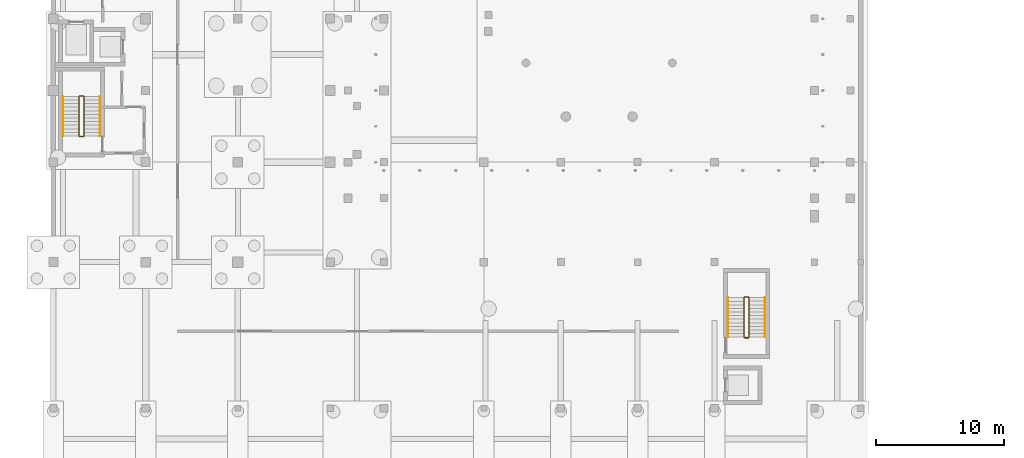
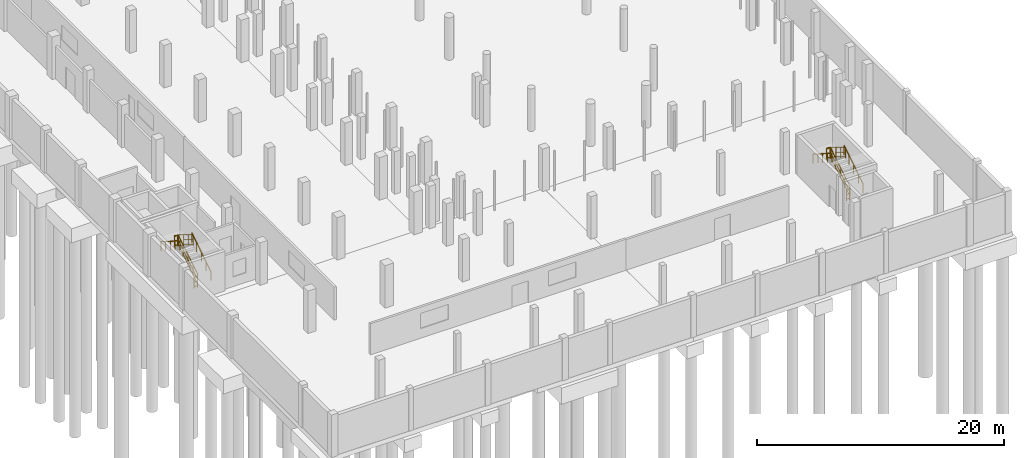
# One storey, part 31 of 34: 12 railings.
"""IFC4 building model written with IfcOpenShell, lengths in metres."""

from ifc_helpers import new_model, si_unit, direction, frame, origin, origin_2d, place, context, subcontext, project, spatial, circle, extrude, material, type_object, element, save


model = new_model("IFC4")

# Units and contexts
model_context = context("Model", 3, precision=1e-05, world=origin(), true_north=direction((0.0, 1.0)))
body_context = subcontext(model_context, "Body", "Model", "MODEL_VIEW")
ifc_project = project(units=[si_unit("LENGTHUNIT", "METRE"), si_unit("AREAUNIT", "SQUARE_METRE"), si_unit("VOLUMEUNIT", "CUBIC_METRE"), si_unit("PLANEANGLEUNIT", "RADIAN"), si_unit("MASSUNIT", "GRAM", prefix="KILO")], contexts=[model_context])

# Site, building, storey
site_placement = place(None, origin())
site = spatial("IfcSite", under=ifc_project, at=site_placement, CompositionType="ELEMENT")
building_placement = place(site_placement, origin())
building = spatial("IfcBuilding", under=site, at=building_placement, Name="Vinh Khe Railworks Police Headquarters", CompositionType="ELEMENT")
storey_placement = place(building_placement, frame((0.0, 0.0, -4.199951171875)))
storey = spatial("IfcBuildingStorey", under=building, at=storey_placement, Name="B1", CompositionType="ELEMENT", Elevation=-4.199951171875)

# Railings
ifc_material_1 = material(Name="Painted tubular steel", Category="steel")
railing_type_1 = type_object("IfcRailingType", Name="RL-GUARD-1100", PredefinedType="GUARDRAIL", material=ifc_material_1)
railing_1_placement = place(storey_placement, frame((3.0, 27.25, 0.175048828125)))
element("IfcRailing", 1, at=railing_1_placement, inside=storey, type_object=railing_type_1, Name="B1 ST-01 stair guard 1", PredefinedType="GUARDRAIL", context=body_context, shape_type="SweptSolid", body=[
    extrude(circle(Radius=0.02392578125, at=origin_2d()), frame((0.0, 0.0, 1.076171875), z_axis=(0.0, 0.848028513186, 0.529950602248), x_axis=(-1.0, 0.0, 0.0)), (0.0, 0.0, 1.0), 3.632080078125),
    extrude(circle(Radius=0.01416015625, at=origin_2d()), frame((0.0, 0.0, 0.132080078125), z_axis=(0.0, 0.848028513186, 0.529950602248), x_axis=(-1.0, 0.0, 0.0)), (0.0, 0.0, 1.0), 3.632080078125),
    extrude(circle(Radius=0.01416015625, at=origin_2d()), frame((0.0, 0.0, 0.572021484375), z_axis=(0.0, 0.848028513186, 0.529950602248), x_axis=(-1.0, 0.0, 0.0)), (0.0, 0.0, 1.0), 3.632080078125),
    extrude(circle(Radius=0.02099609375, at=origin_2d()), origin(), (0.0, 0.0, 1.0), 1.052001953125),
    extrude(circle(Radius=0.02099609375, at=origin_2d()), frame((0.0, 0.77001953125, 0.481201171875)), (0.0, 0.0, 1.0), 1.052001953125),
    extrude(circle(Radius=0.02099609375, at=origin_2d()), frame((0.0, 1.5400390625, 0.96240234375)), (0.0, 0.0, 1.0), 1.052001953125),
    extrude(circle(Radius=0.02099609375, at=origin_2d()), frame((0.0, 2.31005859375, 1.443603515625)), (0.0, 0.0, 1.0), 1.052001953125),
    extrude(circle(Radius=0.02099609375, at=origin_2d()), frame((0.0, 3.080078125, 1.9248046875)), (0.0, 0.0, 1.0), 1.052001953125),
])
railing_2_placement = place(storey_placement, frame((2.949951171875, 30.3798828125, 2.099853515625)))
element("IfcRailing", 2, at=railing_2_placement, inside=storey, type_object=railing_type_1, Name="B1 ST-01 stair guard 2", PredefinedType="GUARDRAIL", context=body_context, shape_type="SweptSolid", body=[
    extrude(circle(Radius=0.02392578125, at=origin_2d()), frame((0.0, 0.0, 1.076171875), z_axis=(-1.0, 0.0, 0.0), x_axis=(0.0, -1.0, 0.0)), (0.0, 0.0, 1.0), 0.300048828125),
    extrude(circle(Radius=0.01416015625, at=origin_2d()), frame((0.0, 0.0, 0.132080078125), z_axis=(-1.0, 0.0, 0.0), x_axis=(0.0, -1.0, 0.0)), (0.0, 0.0, 1.0), 0.300048828125),
    extrude(circle(Radius=0.01416015625, at=origin_2d()), frame((0.0, 0.0, 0.572021484375), z_axis=(-1.0, 0.0, 0.0), x_axis=(0.0, -1.0, 0.0)), (0.0, 0.0, 1.0), 0.300048828125),
    extrude(circle(Radius=0.02099609375, at=origin_2d()), origin(), (0.0, 0.0, 1.0), 1.052001953125),
    extrude(circle(Radius=0.02099609375, at=origin_2d()), frame((-0.300048828125, 0.0, 0.0)), (0.0, 0.0, 1.0), 1.052001953125),
])
railing_3_placement = place(storey_placement, frame((2.60009765625, 30.330078125, 2.27490234375)))
element("IfcRailing", 3, at=railing_3_placement, inside=storey, type_object=railing_type_1, Name="B1 ST-01 stair guard 3", PredefinedType="GUARDRAIL", context=body_context, shape_type="SweptSolid", body=[
    extrude(circle(Radius=0.02392578125, at=origin_2d()), frame((0.0, 0.0, 1.076171875), z_axis=(0.0, -0.847998304005, 0.529998940003), x_axis=(1.0, 0.0, 0.0)), (0.0, 0.0, 1.0), 3.632080078125),
    extrude(circle(Radius=0.01416015625, at=origin_2d()), frame((0.0, 0.0, 0.132080078125), z_axis=(0.0, -0.847998304005, 0.529998940003), x_axis=(1.0, 0.0, 0.0)), (0.0, 0.0, 1.0), 3.632080078125),
    extrude(circle(Radius=0.01416015625, at=origin_2d()), frame((0.0, 0.0, 0.572021484375), z_axis=(0.0, -0.847998304005, 0.529998940003), x_axis=(1.0, 0.0, 0.0)), (0.0, 0.0, 1.0), 3.632080078125),
    extrude(circle(Radius=0.02099609375, at=origin_2d()), origin(), (0.0, 0.0, 1.0), 1.052001953125),
    extrude(circle(Radius=0.02099609375, at=origin_2d()), frame((0.0, -0.77001953125, 0.481201171875)), (0.0, 0.0, 1.0), 1.052001953125),
    extrude(circle(Radius=0.02099609375, at=origin_2d()), frame((0.0, -1.5400390625, 0.96240234375)), (0.0, 0.0, 1.0), 1.052001953125),
    extrude(circle(Radius=0.02099609375, at=origin_2d()), frame((0.0, -2.31005859375, 1.44384765625)), (0.0, 0.0, 1.0), 1.052001953125),
    extrude(circle(Radius=0.02099609375, at=origin_2d()), frame((0.0, -3.080078125, 1.925048828125)), (0.0, 0.0, 1.0), 1.052001953125),
])
railing_4_placement = place(storey_placement, frame((2.949951171875, 27.199951171875, 0.0)))
element("IfcRailing", 4, at=railing_4_placement, inside=storey, type_object=railing_type_1, Name="B1 ST-01 stair guard 4", PredefinedType="GUARDRAIL", context=body_context, shape_type="SweptSolid", body=[
    extrude(circle(Radius=0.02392578125, at=origin_2d()), frame((0.0, 0.0, 1.076171875), z_axis=(-1.0, 0.0, 0.0), x_axis=(0.0, -1.0, 0.0)), (0.0, 0.0, 1.0), 0.300048828125),
    extrude(circle(Radius=0.01416015625, at=origin_2d()), frame((0.0, 0.0, 0.132080078125), z_axis=(-1.0, 0.0, 0.0), x_axis=(0.0, -1.0, 0.0)), (0.0, 0.0, 1.0), 0.300048828125),
    extrude(circle(Radius=0.01416015625, at=origin_2d()), frame((0.0, 0.0, 0.572021484375), z_axis=(-1.0, 0.0, 0.0), x_axis=(0.0, -1.0, 0.0)), (0.0, 0.0, 1.0), 0.300048828125),
    extrude(circle(Radius=0.02099609375, at=origin_2d()), origin(), (0.0, 0.0, 1.0), 1.052001953125),
    extrude(circle(Radius=0.02099609375, at=origin_2d()), frame((-0.300048828125, 0.0, 0.0)), (0.0, 0.0, 1.0), 1.052001953125),
])
railing_5_placement = place(storey_placement, frame((54.89990234375, 11.550048828125, 0.175048828125)))
element("IfcRailing", 5, at=railing_5_placement, inside=storey, type_object=railing_type_1, Name="B1 ST-05 stair guard 1", PredefinedType="GUARDRAIL", context=body_context, shape_type="SweptSolid", body=[
    extrude(circle(Radius=0.02392578125, at=origin_2d()), frame((0.0, 0.0, 1.076171875), z_axis=(0.0, 0.848009633417, 0.529980812513), x_axis=(-1.0, 0.0, 0.0)), (0.0, 0.0, 1.0), 3.6318359375),
    extrude(circle(Radius=0.01416015625, at=origin_2d()), frame((0.0, 0.0, 0.132080078125), z_axis=(0.0, 0.848009633417, 0.529980812513), x_axis=(-1.0, 0.0, 0.0)), (0.0, 0.0, 1.0), 3.6318359375),
    extrude(circle(Radius=0.01416015625, at=origin_2d()), frame((0.0, 0.0, 0.572021484375), z_axis=(0.0, 0.848009633417, 0.529980812513), x_axis=(-1.0, 0.0, 0.0)), (0.0, 0.0, 1.0), 3.6318359375),
    extrude(circle(Radius=0.02099609375, at=origin_2d()), origin(), (0.0, 0.0, 1.0), 1.052001953125),
    extrude(circle(Radius=0.02099609375, at=origin_2d()), frame((0.0, 0.77001953125, 0.481201171875)), (0.0, 0.0, 1.0), 1.052001953125),
    extrude(circle(Radius=0.02099609375, at=origin_2d()), frame((0.0, 1.5400390625, 0.96240234375)), (0.0, 0.0, 1.0), 1.052001953125),
    extrude(circle(Radius=0.02099609375, at=origin_2d()), frame((0.0, 2.309814453125, 1.443603515625)), (0.0, 0.0, 1.0), 1.052001953125),
    extrude(circle(Radius=0.02099609375, at=origin_2d()), frame((0.0, 3.079833984375, 1.9248046875)), (0.0, 0.0, 1.0), 1.052001953125),
])
railing_6_placement = place(storey_placement, frame((54.85009765625, 14.679931640625, 2.099853515625)))
element("IfcRailing", 6, at=railing_6_placement, inside=storey, type_object=railing_type_1, Name="B1 ST-05 stair guard 2", PredefinedType="GUARDRAIL", context=body_context, shape_type="SweptSolid", body=[
    extrude(circle(Radius=0.02392578125, at=origin_2d()), frame((0.0, 0.0, 1.076171875), z_axis=(-1.0, 0.0, 0.0), x_axis=(0.0, -1.0, 0.0)), (0.0, 0.0, 1.0), 0.300048828125),
    extrude(circle(Radius=0.01416015625, at=origin_2d()), frame((0.0, 0.0, 0.132080078125), z_axis=(-1.0, 0.0, 0.0), x_axis=(0.0, -1.0, 0.0)), (0.0, 0.0, 1.0), 0.300048828125),
    extrude(circle(Radius=0.01416015625, at=origin_2d()), frame((0.0, 0.0, 0.572021484375), z_axis=(-1.0, 0.0, 0.0), x_axis=(0.0, -1.0, 0.0)), (0.0, 0.0, 1.0), 0.300048828125),
    extrude(circle(Radius=0.02099609375, at=origin_2d()), origin(), (0.0, 0.0, 1.0), 1.052001953125),
    extrude(circle(Radius=0.02099609375, at=origin_2d()), frame((-0.300048828125, 0.0, 0.0)), (0.0, 0.0, 1.0), 1.052001953125),
])
railing_7_placement = place(storey_placement, frame((54.5, 14.6298828125, 2.27490234375)))
element("IfcRailing", 7, at=railing_7_placement, inside=storey, type_object=railing_type_1, Name="B1 ST-05 stair guard 3", PredefinedType="GUARDRAIL", context=body_context, shape_type="SweptSolid", body=[
    extrude(circle(Radius=0.02392578125, at=origin_2d()), frame((0.0, 0.0, 1.076171875), z_axis=(0.0, -0.847979421464, 0.530029150871), x_axis=(1.0, 0.0, 0.0)), (0.0, 0.0, 1.0), 3.632080078125),
    extrude(circle(Radius=0.01416015625, at=origin_2d()), frame((0.0, 0.0, 0.132080078125), z_axis=(0.0, -0.847979421464, 0.530029150871), x_axis=(1.0, 0.0, 0.0)), (0.0, 0.0, 1.0), 3.632080078125),
    extrude(circle(Radius=0.01416015625, at=origin_2d()), frame((0.0, 0.0, 0.572021484375), z_axis=(0.0, -0.847979421464, 0.530029150871), x_axis=(1.0, 0.0, 0.0)), (0.0, 0.0, 1.0), 3.632080078125),
    extrude(circle(Radius=0.02099609375, at=origin_2d()), origin(), (0.0, 0.0, 1.0), 1.052001953125),
    extrude(circle(Radius=0.02099609375, at=origin_2d()), frame((0.0, -0.77001953125, 0.481201171875)), (0.0, 0.0, 1.0), 1.052001953125),
    extrude(circle(Radius=0.02099609375, at=origin_2d()), frame((0.0, -1.5400390625, 0.96240234375)), (0.0, 0.0, 1.0), 1.052001953125),
    extrude(circle(Radius=0.02099609375, at=origin_2d()), frame((0.0, -2.309814453125, 1.44384765625)), (0.0, 0.0, 1.0), 1.052001953125),
    extrude(circle(Radius=0.02099609375, at=origin_2d()), frame((0.0, -3.079833984375, 1.925048828125)), (0.0, 0.0, 1.0), 1.052001953125),
])
railing_8_placement = place(storey_placement, frame((54.85009765625, 11.5, 0.0)))
element("IfcRailing", 8, at=railing_8_placement, inside=storey, type_object=railing_type_1, Name="B1 ST-05 stair guard 4", PredefinedType="GUARDRAIL", context=body_context, shape_type="SweptSolid", body=[
    extrude(circle(Radius=0.02392578125, at=origin_2d()), frame((0.0, 0.0, 1.076171875), z_axis=(-1.0, 0.0, 0.0), x_axis=(0.0, -1.0, 0.0)), (0.0, 0.0, 1.0), 0.300048828125),
    extrude(circle(Radius=0.01416015625, at=origin_2d()), frame((0.0, 0.0, 0.132080078125), z_axis=(-1.0, 0.0, 0.0), x_axis=(0.0, -1.0, 0.0)), (0.0, 0.0, 1.0), 0.300048828125),
    extrude(circle(Radius=0.01416015625, at=origin_2d()), frame((0.0, 0.0, 0.572021484375), z_axis=(-1.0, 0.0, 0.0), x_axis=(0.0, -1.0, 0.0)), (0.0, 0.0, 1.0), 0.300048828125),
    extrude(circle(Radius=0.02099609375, at=origin_2d()), origin(), (0.0, 0.0, 1.0), 1.052001953125),
    extrude(circle(Radius=0.02099609375, at=origin_2d()), frame((-0.300048828125, 0.0, 0.0)), (0.0, 0.0, 1.0), 1.052001953125),
])
ifc_material_2 = material(Name="Brushed stainless steel", Category="steel")
railing_type_2 = type_object("IfcRailingType", Name="RL-HAND-900", PredefinedType="HANDRAIL", material=ifc_material_2)
railing_9_placement = place(storey_placement, frame((4.25, 27.25, 0.175048828125)))
element("IfcRailing", 9, at=railing_9_placement, inside=storey, type_object=railing_type_2, Name="B1 ST-01 stair handrail 1", PredefinedType="HANDRAIL", context=body_context, shape_type="SweptSolid", body=[
    extrude(circle(Radius=0.02392578125, at=origin_2d()), frame((0.0, 0.0, 0.8759765625), z_axis=(0.0, 0.848028513186, 0.529950602248), x_axis=(-1.0, 0.0, 0.0)), (0.0, 0.0, 1.0), 3.632080078125),
    extrude(circle(Radius=0.02099609375, at=origin_2d()), origin(), (0.0, 0.0, 1.0), 0.851806640625),
    extrude(circle(Radius=0.02099609375, at=origin_2d()), frame((0.0, 0.77001953125, 0.481201171875)), (0.0, 0.0, 1.0), 0.851806640625),
    extrude(circle(Radius=0.02099609375, at=origin_2d()), frame((0.0, 1.5400390625, 0.96240234375)), (0.0, 0.0, 1.0), 0.851806640625),
    extrude(circle(Radius=0.02099609375, at=origin_2d()), frame((0.0, 2.31005859375, 1.443603515625)), (0.0, 0.0, 1.0), 0.851806640625),
    extrude(circle(Radius=0.02099609375, at=origin_2d()), frame((0.0, 3.080078125, 1.9248046875)), (0.0, 0.0, 1.0), 0.851806640625),
])
railing_10_placement = place(storey_placement, frame((1.35009765625, 30.330078125, 2.27490234375)))
element("IfcRailing", 10, at=railing_10_placement, inside=storey, type_object=railing_type_2, Name="B1 ST-01 stair handrail 2", PredefinedType="HANDRAIL", context=body_context, shape_type="SweptSolid", body=[
    extrude(circle(Radius=0.02392578125, at=origin_2d()), frame((0.0, 0.0, 0.8759765625), z_axis=(0.0, -0.847998304005, 0.529998940003), x_axis=(1.0, 0.0, 0.0)), (0.0, 0.0, 1.0), 3.632080078125),
    extrude(circle(Radius=0.02099609375, at=origin_2d()), origin(), (0.0, 0.0, 1.0), 0.851806640625),
    extrude(circle(Radius=0.02099609375, at=origin_2d()), frame((0.0, -0.77001953125, 0.481201171875)), (0.0, 0.0, 1.0), 0.851806640625),
    extrude(circle(Radius=0.02099609375, at=origin_2d()), frame((0.0, -1.5400390625, 0.96240234375)), (0.0, 0.0, 1.0), 0.851806640625),
    extrude(circle(Radius=0.02099609375, at=origin_2d()), frame((0.0, -2.31005859375, 1.44384765625)), (0.0, 0.0, 1.0), 0.851806640625),
    extrude(circle(Radius=0.02099609375, at=origin_2d()), frame((0.0, -3.080078125, 1.925048828125)), (0.0, 0.0, 1.0), 0.851806640625),
])
railing_11_placement = place(storey_placement, frame((56.14990234375, 11.550048828125, 0.175048828125)))
element("IfcRailing", 11, at=railing_11_placement, inside=storey, type_object=railing_type_2, Name="B1 ST-05 stair handrail 1", PredefinedType="HANDRAIL", context=body_context, shape_type="SweptSolid", body=[
    extrude(circle(Radius=0.02392578125, at=origin_2d()), frame((0.0, 0.0, 0.8759765625), z_axis=(0.0, 0.848009633417, 0.529980812513), x_axis=(-1.0, 0.0, 0.0)), (0.0, 0.0, 1.0), 3.6318359375),
    extrude(circle(Radius=0.02099609375, at=origin_2d()), origin(), (0.0, 0.0, 1.0), 0.851806640625),
    extrude(circle(Radius=0.02099609375, at=origin_2d()), frame((0.0, 0.77001953125, 0.481201171875)), (0.0, 0.0, 1.0), 0.851806640625),
    extrude(circle(Radius=0.02099609375, at=origin_2d()), frame((0.0, 1.5400390625, 0.96240234375)), (0.0, 0.0, 1.0), 0.851806640625),
    extrude(circle(Radius=0.02099609375, at=origin_2d()), frame((0.0, 2.309814453125, 1.443603515625)), (0.0, 0.0, 1.0), 0.851806640625),
    extrude(circle(Radius=0.02099609375, at=origin_2d()), frame((0.0, 3.079833984375, 1.9248046875)), (0.0, 0.0, 1.0), 0.851806640625),
])
railing_12_placement = place(storey_placement, frame((53.25, 14.6298828125, 2.27490234375)))
element("IfcRailing", 12, at=railing_12_placement, inside=storey, type_object=railing_type_2, Name="B1 ST-05 stair handrail 2", PredefinedType="HANDRAIL", context=body_context, shape_type="SweptSolid", body=[
    extrude(circle(Radius=0.02392578125, at=origin_2d()), frame((0.0, 0.0, 0.8759765625), z_axis=(0.0, -0.847979421464, 0.530029150871), x_axis=(1.0, 0.0, 0.0)), (0.0, 0.0, 1.0), 3.632080078125),
    extrude(circle(Radius=0.02099609375, at=origin_2d()), origin(), (0.0, 0.0, 1.0), 0.851806640625),
    extrude(circle(Radius=0.02099609375, at=origin_2d()), frame((0.0, -0.77001953125, 0.481201171875)), (0.0, 0.0, 1.0), 0.851806640625),
    extrude(circle(Radius=0.02099609375, at=origin_2d()), frame((0.0, -1.5400390625, 0.96240234375)), (0.0, 0.0, 1.0), 0.851806640625),
    extrude(circle(Radius=0.02099609375, at=origin_2d()), frame((0.0, -2.309814453125, 1.44384765625)), (0.0, 0.0, 1.0), 0.851806640625),
    extrude(circle(Radius=0.02099609375, at=origin_2d()), frame((0.0, -3.079833984375, 1.925048828125)), (0.0, 0.0, 1.0), 0.851806640625),
])

save(model, "model.ifc")
